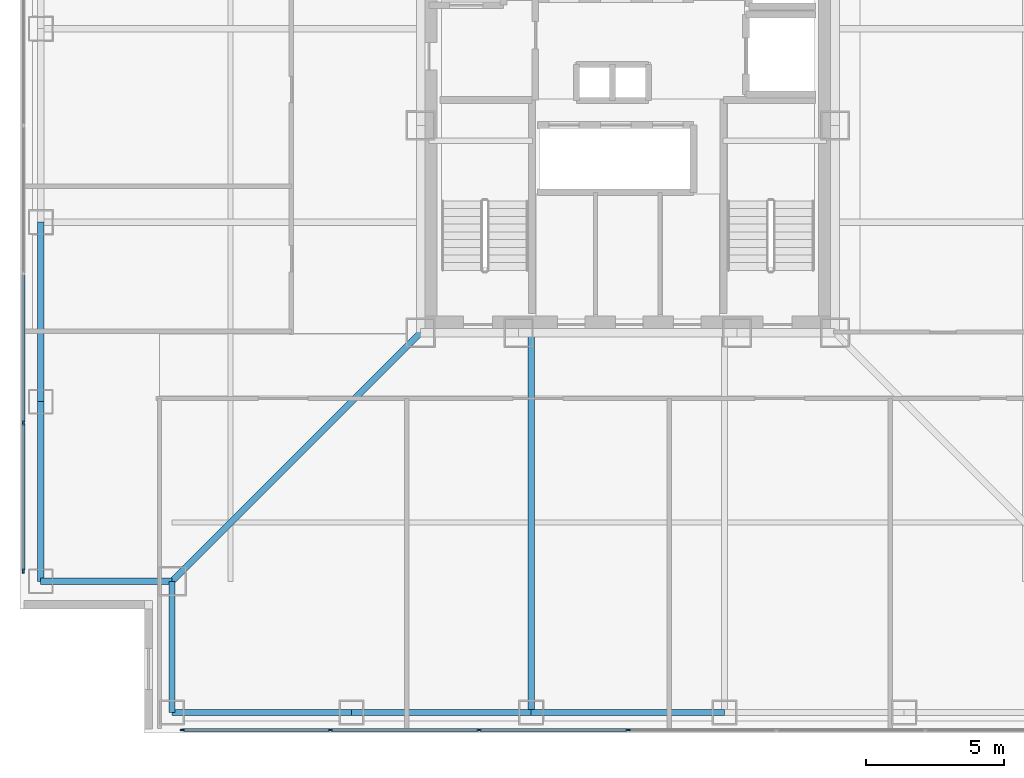
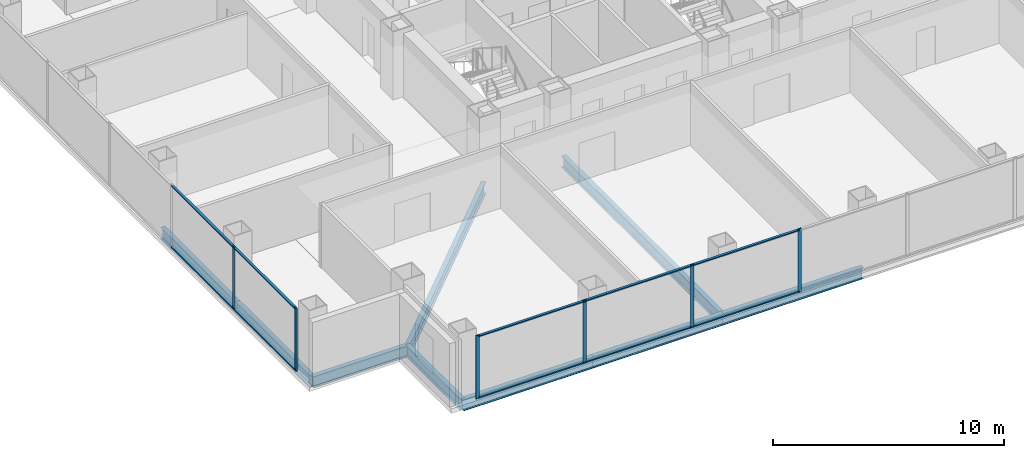
# One storey, part 2 of 17: 16 members, 9 beams, 2 elements without a shape of their own.
"""IFC4 building model written with IfcOpenShell, lengths in metres."""

import ifcopenshell
import ifcopenshell.guid

model = None  # the IFC model being written
_history = None  # IfcOwnerHistory: only IFC2X3 demands one
_inside = {}  # id of a spatial element -> (the spatial element, [elements in it])
_under = {}  # id of a project, library or spatial element -> (it, [spatial elements below it])
_declared = {}  # id of a project -> (the project, [libraries it declares])
_typed = {}  # id of a type object -> (the type object, [elements of that type])
_made_of = {}  # id of a material, layer set ... -> (it, [elements and type objects made of it])


def new_model(schema):
    """Start an empty IFC model of exactly this schema.

    Asked for "IFC4X3", IfcOpenShell would pick the latest addendum, in which some entities
    have other attributes; the version numbers below select the first issue.
    IFC2X3 requires an IfcOwnerHistory on every rooted entity: one is made here for all.
    """
    global model, _history
    if schema == "IFC4X3":
        model = ifcopenshell.file(schema_version=(4, 3, 0, 0))
    else:
        model = ifcopenshell.file(schema=schema)
    _inside.clear()
    _under.clear()
    _declared.clear()
    _typed.clear()
    _made_of.clear()
    _history = None
    if model.schema == "IFC2X3":
        org = make("IfcOrganization", Name="unknown")
        user = make(
            "IfcPersonAndOrganization",
            ThePerson=make("IfcPerson", FamilyName="unknown"),
            TheOrganization=org,
        )
        app = make(
            "IfcApplication",
            ApplicationDeveloper=org,
            Version="unknown",
            ApplicationFullName="unknown",
            ApplicationIdentifier="unknown",
        )
        _history = make(
            "IfcOwnerHistory",
            OwningUser=user,
            OwningApplication=app,
            ChangeAction="ADDED",
            CreationDate=0,
        )
    return model


def make(cls, **values):
    """One entity of the class cls with the attributes given. An attribute that is None is left unset."""
    return model.create_entity(
        cls, **{name: value for name, value in values.items() if value is not None}
    )


def rooted(cls, **values):
    """An entity with a GlobalId (a new one), such as an element, a storey or a relation."""
    return make(cls, GlobalId=ifcopenshell.guid.new(), OwnerHistory=_history, **values)


def si_unit(unit_type, name, prefix=None):
    """IfcSIUnit, for example si_unit("LENGTHUNIT", "METRE", prefix="MILLI")."""
    return make("IfcSIUnit", UnitType=unit_type, Prefix=prefix, Name=name)


def assignment(units):
    """IfcUnitAssignment: the units of a project."""
    return None if units is None else make("IfcUnitAssignment", Units=units)


def point(xyz):
    """IfcCartesianPoint."""
    return None if xyz is None else make("IfcCartesianPoint", Coordinates=xyz)


def direction(xyz):
    """IfcDirection."""
    return None if xyz is None else make("IfcDirection", DirectionRatios=xyz)


def frame(location, z_axis=None, x_axis=None):
    """IfcAxis2Placement3D, a coordinate frame: its origin and axes. An axis left out is left unset."""
    return make(
        "IfcAxis2Placement3D",
        Location=point(location),
        Axis=direction(z_axis),
        RefDirection=direction(x_axis),
    )


def frame_2d(location, x_axis=None):
    """IfcAxis2Placement2D, a coordinate frame in the plane: its origin and x axis."""
    return make(
        "IfcAxis2Placement2D", Location=point(location), RefDirection=direction(x_axis)
    )


def origin():
    """The frame at (0, 0, 0) with its axes left unset."""
    return frame((0.0, 0.0, 0.0))


def origin_2d():
    """The frame at (0, 0) in the plane with its x axis left unset."""
    return frame_2d((0.0, 0.0))


def place(relative_to, where):
    """IfcLocalPlacement: puts the frame where relative to a parent placement (None: the world)."""
    return make(
        "IfcLocalPlacement", PlacementRelTo=relative_to, RelativePlacement=where
    )


def context(
    kind, dimensions, precision=None, world=None, true_north=None, identifier=None
):
    """IfcGeometricRepresentationContext, for example the 3D "Model" context."""
    return make(
        "IfcGeometricRepresentationContext",
        ContextIdentifier=identifier,
        ContextType=kind,
        CoordinateSpaceDimension=dimensions,
        Precision=precision,
        WorldCoordinateSystem=world,
        TrueNorth=true_north,
    )


def subcontext(parent, identifier, kind, view, scale=None):
    """IfcGeometricRepresentationSubContext, for example "Body" below "Model"."""
    return make(
        "IfcGeometricRepresentationSubContext",
        ContextIdentifier=identifier,
        ContextType=kind,
        ParentContext=parent,
        TargetScale=scale,
        TargetView=view,
    )


def project(units=None, contexts=None):
    """IfcProject with its units and contexts."""
    return rooted(
        "IfcProject",
        Name="project",
        RepresentationContexts=contexts,
        UnitsInContext=assignment(units),
    )


def spatial(cls, under=None, at=None, **own):
    """A site, building, storey or space (cls), placed at a placement, below another one or the project."""
    s = rooted(cls, ObjectPlacement=at, **own)
    if under is not None:
        _under.setdefault(under.id(), (under, []))[1].append(s)
    return s


def profile(cls, at=None, kind="AREA", **sizes):
    """A parametric profile (cls). Its sizes go by their IFC names, for example OverallWidth=200.0."""
    return make(cls, ProfileType=kind, Position=at, **sizes)


def rectangle(**sizes):
    """IfcRectangleProfileDef."""
    return profile("IfcRectangleProfileDef", **sizes)


def i_section(**sizes):
    """IfcIShapeProfileDef."""
    return profile("IfcIShapeProfileDef", **sizes)


def extrude(swept, where, along, depth):
    """IfcExtrudedAreaSolid: the profile swept, set in the frame where, extruded along a direction by depth."""
    return make(
        "IfcExtrudedAreaSolid",
        SweptArea=swept,
        Position=where,
        ExtrudedDirection=direction(along),
        Depth=depth,
    )


def shape(context_of_items, identifier, shape_type, items):
    """IfcShapeRepresentation: the items that make up one representation, for example the "Body"."""
    return make(
        "IfcShapeRepresentation",
        ContextOfItems=context_of_items,
        RepresentationIdentifier=identifier,
        RepresentationType=shape_type,
        Items=items,
    )


def material(Name=None, Category=None):
    """IfcMaterial."""
    return make("IfcMaterial", Name=Name, Category=Category)


def layer(
    of_material, thickness, ventilated=None, Name=None, Category=None, Priority=None
):
    """IfcMaterialLayer: one layer of a wall or slab, of a material (None: an air gap)."""
    return make(
        "IfcMaterialLayer",
        Material=of_material,
        LayerThickness=thickness,
        IsVentilated=ventilated,
        Name=Name,
        Category=Category,
        Priority=Priority,
    )


def layer_set(layers, Name=None):
    """IfcMaterialLayerSet."""
    return make("IfcMaterialLayerSet", MaterialLayers=layers, LayerSetName=Name)


def material_profile(
    of_material, cross_section, Name=None, Category=None, Priority=None
):
    """IfcMaterialProfile: a cross section and its material."""
    return make(
        "IfcMaterialProfile",
        Name=Name,
        Material=of_material,
        Profile=cross_section,
        Priority=Priority,
        Category=Category,
    )


def profile_set(profiles, Name=None, composite=None):
    """IfcMaterialProfileSet."""
    return make(
        "IfcMaterialProfileSet",
        Name=Name,
        MaterialProfiles=profiles,
        CompositeProfile=composite,
    )


def made_of(thing, what):
    """Note that an element or type object is made of a material, layer set ...; save() writes the relation."""
    if what is not None:
        _made_of.setdefault(what.id(), (what, []))[1].append(thing)
    return thing


def type_object(cls, material=None, **own):
    """A type object (cls), such as IfcWallType, which elements share."""
    return made_of(rooted(cls, **own), material)


def element(
    cls,
    number,
    at=None,
    inside=None,
    cuts=None,
    type_object=None,
    material=None,
    context=None,
    identifier="Body",
    shape_type=None,
    held_by="IfcProductDefinitionShape",
    body=None,
    shapes=None,
    **own,
):
    """One element of the class cls, such as IfcWall. Its Tag is "e" and its number.

    at: its placement. inside: the storey or other place that contains it. cuts: it is an
    opening in that element (IfcRelVoidsElement). A single representation is given by context,
    identifier, shape_type and body (its items); several are given by shapes. held_by: the class
    of the entity that holds the representations. save() writes the other relations.
    """
    e = rooted(cls, Tag="e%d" % number, ObjectPlacement=at, **own)
    if body is not None:
        shapes = [shape(context, identifier, shape_type, body)]
    if shapes is not None:
        e.Representation = make(held_by, Representations=shapes)
    if inside is not None:
        _inside.setdefault(inside.id(), (inside, []))[1].append(e)
    if cuts is not None:
        rooted(
            "IfcRelVoidsElement", RelatingBuildingElement=cuts, RelatedOpeningElement=e
        )
    if type_object is not None:
        _typed.setdefault(type_object.id(), (type_object, []))[1].append(e)
    return made_of(e, material)


def aggregate(whole, parts):
    """IfcRelAggregates: a whole, such as a stair, and the parts it consists of."""
    return rooted("IfcRelAggregates", RelatingObject=whole, RelatedObjects=parts)


def save(model, path):
    """Write the relations noted so far, then the file.

    IfcRelAggregates (storeys below a building ...), IfcRelContainedInSpatialStructure (elements
    in a storey), IfcRelDefinesByType, IfcRelAssociatesMaterial and IfcRelDeclares: one each for
    every whole, place, type object, material and project.
    """
    for whole, parts in _under.values():
        aggregate(whole, parts)
    for where, things in _inside.values():
        rooted(
            "IfcRelContainedInSpatialStructure",
            RelatedElements=things,
            RelatingStructure=where,
        )
    for kind, things in _typed.values():
        rooted("IfcRelDefinesByType", RelatedObjects=things, RelatingType=kind)
    for what, things in _made_of.values():
        rooted("IfcRelAssociatesMaterial", RelatedObjects=things, RelatingMaterial=what)
    for by, libraries in _declared.values():
        rooted("IfcRelDeclares", RelatingContext=by, RelatedDefinitions=libraries)
    model.write(path)


model = new_model("IFC4")

# Units and contexts
model_context = context("Model", 3, precision=1e-05, world=origin(), true_north=direction((0.0, 1.0)))
body_context = subcontext(model_context, "Body", "Model", "MODEL_VIEW")
ifc_project = project(units=[si_unit("LENGTHUNIT", "METRE"), si_unit("AREAUNIT", "SQUARE_METRE"), si_unit("VOLUMEUNIT", "CUBIC_METRE"), si_unit("PLANEANGLEUNIT", "RADIAN"), si_unit("MASSUNIT", "GRAM", prefix="KILO")], contexts=[model_context])

# Site, building, storey
site_placement = place(None, origin())
site = spatial("IfcSite", under=ifc_project, at=site_placement, CompositionType="ELEMENT")
building_placement = place(site_placement, origin())
building = spatial("IfcBuilding", under=site, at=building_placement, Name="Trevonay Congress Spire", CompositionType="ELEMENT")
storey_placement = place(building_placement, frame((0.0, 0.0, 130.0)))
storey = spatial("IfcBuildingStorey", under=building, at=storey_placement, Name="L33", CompositionType="ELEMENT", Elevation=130.0)

# Beams
ifc_material_1 = material(Name="Steel ASTM A572 Grade 50", Category="steel")
ifc_material_profile_1 = material_profile(ifc_material_1, i_section(OverallWidth=0.22998046875, OverallDepth=0.616943359375, WebThickness=0.01318359375, FlangeThickness=0.022216796875, FilletRadius=0.01611328125, at=origin_2d()), Name="W610x140")
ifc_profile_set_1 = profile_set([ifc_material_profile_1], Name="Steel ASTM A572 Grade 50")
beam_type_1 = type_object("IfcBeamType", Name="BM-GIRD-W610X140", PredefinedType="BEAM", material=ifc_profile_set_1)
beam_1_placement = place(storey_placement, frame((-7.5, -7.5, -0.548583984375), z_axis=(-0.707106781187, -0.707106781187, 0.0), x_axis=(0.707106781187, -0.707106781187, 0.0)))
element("IfcBeam", 1, at=beam_1_placement, inside=storey, type_object=beam_type_1, Name="L33 structural beam BM-L33-CDSW", PredefinedType="BEAM", context=body_context, shape_type="SweptSolid", body=[
    extrude(i_section(OverallWidth=0.22998046875, OverallDepth=0.616943359375, WebThickness=0.01318359375, FlangeThickness=0.022216796875, FilletRadius=0.01611328125, at=origin_2d()), origin(), (0.0, 0.0, 1.0), 12.72802734375),
])
beam_2_placement = place(storey_placement, frame((-3.5, -7.5, -0.548583984375), z_axis=(0.0, -1.0, 0.0), x_axis=(1.0, 0.0, 0.0)))
element("IfcBeam", 2, at=beam_2_placement, inside=storey, type_object=beam_type_1, Name="L33 structural beam BM-L33-GS-M", PredefinedType="BEAM", context=body_context, shape_type="SweptSolid", body=[
    extrude(i_section(OverallWidth=0.22998046875, OverallDepth=0.616943359375, WebThickness=0.01318359375, FlangeThickness=0.022216796875, FilletRadius=0.01611328125, at=origin_2d()), origin(), (0.0, 0.0, 1.0), 13.75),
])
ifc_material_profile_2 = material_profile(ifc_material_1, i_section(OverallWidth=0.22802734375, OverallDepth=0.60791015625, WebThickness=0.01123046875, FlangeThickness=0.017333984375, FilletRadius=0.01611328125, at=origin_2d()), Name="W610x113")
ifc_profile_set_2 = profile_set([ifc_material_profile_2], Name="Steel ASTM A572 Grade 50")
beam_type_2 = type_object("IfcBeamType", Name="BM-RING-W610X113", PredefinedType="BEAM", material=ifc_profile_set_2)
for number, where, z_axis, x_axis, name in (
    (3, (-16.5, -21.25, -0.5439453125), (1.0, 0.0, 0.0), (0.0, 1.0, 0.0), "L33 structural beam BM-L33-PS1"),
    (4, (-21.25, -16.5, -0.5439453125), (0.0, 1.0, 0.0), (-1.0, 0.0, 0.0), "L33 structural beam BM-L33-PW1"),
    (5, (-10.0, -21.25, -0.5439453125), (1.0, 0.0, 0.0), (0.0, 1.0, 0.0), "L33 structural beam BM-L33-PS2"),
    (6, (-21.25, -10.0, -0.5439453125), (0.0, 1.0, 0.0), (-1.0, 0.0, 0.0), "L33 structural beam BM-L33-PW2"),
):
    element("IfcBeam", number, at=place(storey_placement, frame(where, z_axis=z_axis, x_axis=x_axis)), inside=storey, type_object=beam_type_2, Name=name, PredefinedType="BEAM", context=body_context, shape_type="SweptSolid", body=[
        extrude(i_section(OverallWidth=0.22802734375, OverallDepth=0.60791015625, WebThickness=0.01123046875, FlangeThickness=0.017333984375, FilletRadius=0.01611328125, at=origin_2d()), origin(), (0.0, 0.0, 1.0), 6.5),
    ])
beam_3_placement = place(storey_placement, frame((-3.5, -21.25, -0.5439453125), z_axis=(1.0, 0.0, 0.0), x_axis=(0.0, 1.0, 0.0)))
element("IfcBeam", 7, at=beam_3_placement, inside=storey, type_object=beam_type_2, Name="L33 structural beam BM-L33-PS3", PredefinedType="BEAM", context=body_context, shape_type="SweptSolid", body=[
    extrude(i_section(OverallWidth=0.22802734375, OverallDepth=0.60791015625, WebThickness=0.01123046875, FlangeThickness=0.017333984375, FilletRadius=0.01611328125, at=origin_2d()), origin(), (0.0, 0.0, 1.0), 7.0),
])
for number, where, z_axis, x_axis, name in (
    (8, (-16.5, -21.25, -0.5439453125), (0.0, 1.0, 0.0), (-1.0, 0.0, 0.0), "L33 structural beam BM-L33-N1SW"),
    (9, (-21.25, -16.5, -0.5439453125), (1.0, 0.0, 0.0), (0.0, 1.0, 0.0), "L33 structural beam BM-L33-N2SW"),
):
    element("IfcBeam", number, at=place(storey_placement, frame(where, z_axis=z_axis, x_axis=x_axis)), inside=storey, type_object=beam_type_2, Name=name, PredefinedType="BEAM", context=body_context, shape_type="SweptSolid", body=[
        extrude(i_section(OverallWidth=0.22802734375, OverallDepth=0.60791015625, WebThickness=0.01123046875, FlangeThickness=0.017333984375, FilletRadius=0.01611328125, at=origin_2d()), origin(), (0.0, 0.0, 1.0), 4.75),
    ])

# Curtain wall, members
ifc_material_2 = material(Name="Pale Anodised Aluminium EN AW-6063-T6", Category="aluminium")
ifc_layer = layer(ifc_material_2, 0.175048828125, Name="Pale Anodised Aluminium EN AW-6063-T6")
ifc_layer_set = layer_set([ifc_layer], Name="Pale Anodised Aluminium EN AW-6063-T6")
curtain_wall_type = type_object("IfcCurtainWallType", Name="CW-SYS03-CONGRESS-PALE-METAL", PredefinedType="NOTDEFINED", material=ifc_layer_set)
curtain_wall_1_placement = place(storey_placement, origin())
curtain_wall_1 = element("IfcCurtainWall", 10, at=curtain_wall_1_placement, inside=storey, type_object=curtain_wall_type, Name="L33 S unitised curtain wall", PredefinedType="NOTDEFINED")
ifc_material_profile_3 = material_profile(ifc_material_2, rectangle(XDim=0.06005859375, YDim=0.159912109375, at=origin_2d()), Name="CW-MULLION-160-ALUMINIUM")
ifc_profile_set_3 = profile_set([ifc_material_profile_3], Name="Pale Anodised Aluminium EN AW-6063-T6")
member_type_1 = type_object("IfcMemberType", Name="CW-MULLION-160-ALUMINIUM", PredefinedType="MULLION", material=ifc_profile_set_3)
member_1_placement = place(storey_placement, frame((-16.1201171875, -21.8798828125, 0.0), z_axis=(0.0, 0.0, 1.0), x_axis=(0.0, 1.0, 0.0)))
member_1 = element("IfcMember", 11, at=member_1_placement, type_object=member_type_1, Name="CW03 mullion 1", PredefinedType="MULLION", context=body_context, shape_type="SweptSolid", body=[
    extrude(rectangle(XDim=0.06005859375, YDim=0.159912109375, at=origin_2d()), origin(), (0.0, 0.0, 1.0), 3.360107421875),
])
member_2_placement = place(storey_placement, frame((-10.7666015625, -21.8798828125, 0.0), z_axis=(0.0, 0.0, 1.0), x_axis=(0.0, 1.0, 0.0)))
member_2 = element("IfcMember", 12, at=member_2_placement, type_object=member_type_1, Name="CW03 mullion 2", PredefinedType="MULLION", context=body_context, shape_type="SweptSolid", body=[
    extrude(rectangle(XDim=0.06005859375, YDim=0.159912109375, at=origin_2d()), origin(), (0.0, 0.0, 1.0), 3.360107421875),
])
member_3_placement = place(storey_placement, frame((-5.38330078125, -21.8798828125, 0.0), z_axis=(0.0, 0.0, 1.0), x_axis=(0.0, 1.0, 0.0)))
member_3 = element("IfcMember", 13, at=member_3_placement, type_object=member_type_1, Name="CW03 mullion 3", PredefinedType="MULLION", context=body_context, shape_type="SweptSolid", body=[
    extrude(rectangle(XDim=0.06005859375, YDim=0.159912109375, at=origin_2d()), origin(), (0.0, 0.0, 1.0), 3.360107421875),
])
member_4_placement = place(storey_placement, frame((0.0, -21.8798828125, 0.0), z_axis=(0.0, 0.0, 1.0), x_axis=(0.0, 1.0, 0.0)))
member_4 = element("IfcMember", 14, at=member_4_placement, type_object=member_type_1, Name="CW03 mullion 4", PredefinedType="MULLION", context=body_context, shape_type="SweptSolid", body=[
    extrude(rectangle(XDim=0.06005859375, YDim=0.159912109375, at=origin_2d()), origin(), (0.0, 0.0, 1.0), 3.360107421875),
])

curtain_wall_2_placement = place(storey_placement, origin())
curtain_wall_2 = element("IfcCurtainWall", 15, at=curtain_wall_2_placement, inside=storey, type_object=curtain_wall_type, Name="L33 W unitised curtain wall", PredefinedType="NOTDEFINED")
member_5_placement = place(storey_placement, frame((-21.8798828125, -16.1201171875, 0.0), z_axis=(0.0, 0.0, 1.0), x_axis=(-1.0, 0.0, 0.0)))
member_5 = element("IfcMember", 16, at=member_5_placement, type_object=member_type_1, Name="CW03 mullion 1", PredefinedType="MULLION", context=body_context, shape_type="SweptSolid", body=[
    extrude(rectangle(XDim=0.06005859375, YDim=0.159912109375, at=origin_2d()), origin(), (0.0, 0.0, 1.0), 3.360107421875),
])
member_6_placement = place(storey_placement, frame((-21.8798828125, -10.7666015625, 0.0), z_axis=(0.0, 0.0, 1.0), x_axis=(-1.0, 0.0, 0.0)))
member_6 = element("IfcMember", 17, at=member_6_placement, type_object=member_type_1, Name="CW03 mullion 2", PredefinedType="MULLION", context=body_context, shape_type="SweptSolid", body=[
    extrude(rectangle(XDim=0.06005859375, YDim=0.159912109375, at=origin_2d()), origin(), (0.0, 0.0, 1.0), 3.360107421875),
])

# Member
ifc_material_profile_4 = material_profile(ifc_material_2, rectangle(XDim=0.1201171875, YDim=0.06005859375, at=origin_2d()), Name="CW-TRANSOM-120-ALUMINIUM")
ifc_profile_set_4 = profile_set([ifc_material_profile_4], Name="Pale Anodised Aluminium EN AW-6063-T6")
member_type_2 = type_object("IfcMemberType", Name="CW-TRANSOM-120-ALUMINIUM", PredefinedType="USERDEFINED", material=ifc_profile_set_4)
member_7_placement = place(storey_placement, frame((-16.090087890625, -21.8798828125, 0.06005859375), z_axis=(1.0, 0.0, 0.0), x_axis=(0.0, 1.0, 0.0)))
member_7 = element("IfcMember", 18, at=member_7_placement, type_object=member_type_2, Name="CW03 transom 1.1", ObjectType="TRANSOM", PredefinedType="USERDEFINED", context=body_context, shape_type="SweptSolid", body=[
    extrude(rectangle(XDim=0.1201171875, YDim=0.06005859375, at=origin_2d()), origin(), (0.0, 0.0, 1.0), 5.29345703125),
])

member_8_placement = place(storey_placement, frame((-16.090087890625, -21.8798828125, 3.300048828125), z_axis=(1.0, 0.0, 0.0), x_axis=(0.0, 1.0, 0.0)))
member_8 = element("IfcMember", 19, at=member_8_placement, type_object=member_type_2, Name="CW03 transom 1.2", ObjectType="TRANSOM", PredefinedType="USERDEFINED", context=body_context, shape_type="SweptSolid", body=[
    extrude(rectangle(XDim=0.1201171875, YDim=0.06005859375, at=origin_2d()), origin(), (0.0, 0.0, 1.0), 5.29345703125),
])

member_9_placement = place(storey_placement, frame((-10.736572265625, -21.8798828125, 0.06005859375), z_axis=(1.0, 0.0, 0.0), x_axis=(0.0, 1.0, 0.0)))
member_9 = element("IfcMember", 20, at=member_9_placement, type_object=member_type_2, Name="CW03 transom 2.1", ObjectType="TRANSOM", PredefinedType="USERDEFINED", context=body_context, shape_type="SweptSolid", body=[
    extrude(rectangle(XDim=0.1201171875, YDim=0.06005859375, at=origin_2d()), origin(), (0.0, 0.0, 1.0), 5.3232421875),
])

member_10_placement = place(storey_placement, frame((-10.736572265625, -21.8798828125, 3.300048828125), z_axis=(1.0, 0.0, 0.0), x_axis=(0.0, 1.0, 0.0)))
member_10 = element("IfcMember", 21, at=member_10_placement, type_object=member_type_2, Name="CW03 transom 2.2", ObjectType="TRANSOM", PredefinedType="USERDEFINED", context=body_context, shape_type="SweptSolid", body=[
    extrude(rectangle(XDim=0.1201171875, YDim=0.06005859375, at=origin_2d()), origin(), (0.0, 0.0, 1.0), 5.3232421875),
])

member_11_placement = place(storey_placement, frame((-5.353271484375, -21.8798828125, 0.06005859375), z_axis=(1.0, 0.0, 0.0), x_axis=(0.0, 1.0, 0.0)))
member_11 = element("IfcMember", 22, at=member_11_placement, type_object=member_type_2, Name="CW03 transom 3.1", ObjectType="TRANSOM", PredefinedType="USERDEFINED", context=body_context, shape_type="SweptSolid", body=[
    extrude(rectangle(XDim=0.1201171875, YDim=0.06005859375, at=origin_2d()), origin(), (0.0, 0.0, 1.0), 5.3232421875),
])

member_12_placement = place(storey_placement, frame((-5.353271484375, -21.8798828125, 3.300048828125), z_axis=(1.0, 0.0, 0.0), x_axis=(0.0, 1.0, 0.0)))
member_12 = element("IfcMember", 23, at=member_12_placement, type_object=member_type_2, Name="CW03 transom 3.2", ObjectType="TRANSOM", PredefinedType="USERDEFINED", context=body_context, shape_type="SweptSolid", body=[
    extrude(rectangle(XDim=0.1201171875, YDim=0.06005859375, at=origin_2d()), origin(), (0.0, 0.0, 1.0), 5.3232421875),
])

aggregate(curtain_wall_1, [member_1, member_2, member_3, member_4, member_7, member_8, member_9, member_10, member_11, member_12])

member_13_placement = place(storey_placement, frame((-21.8798828125, -16.090087890625, 0.06005859375), z_axis=(0.0, 1.0, 0.0), x_axis=(-1.0, 0.0, 0.0)))
member_13 = element("IfcMember", 24, at=member_13_placement, type_object=member_type_2, Name="CW03 transom 1.1", ObjectType="TRANSOM", PredefinedType="USERDEFINED", context=body_context, shape_type="SweptSolid", body=[
    extrude(rectangle(XDim=0.1201171875, YDim=0.06005859375, at=origin_2d()), origin(), (0.0, 0.0, 1.0), 5.29345703125),
])

member_14_placement = place(storey_placement, frame((-21.8798828125, -16.090087890625, 3.300048828125), z_axis=(0.0, 1.0, 0.0), x_axis=(-1.0, 0.0, 0.0)))
member_14 = element("IfcMember", 25, at=member_14_placement, type_object=member_type_2, Name="CW03 transom 1.2", ObjectType="TRANSOM", PredefinedType="USERDEFINED", context=body_context, shape_type="SweptSolid", body=[
    extrude(rectangle(XDim=0.1201171875, YDim=0.06005859375, at=origin_2d()), origin(), (0.0, 0.0, 1.0), 5.29345703125),
])

member_15_placement = place(storey_placement, frame((-21.8798828125, -10.736572265625, 0.06005859375), z_axis=(0.0, 1.0, 0.0), x_axis=(-1.0, 0.0, 0.0)))
member_15 = element("IfcMember", 26, at=member_15_placement, type_object=member_type_2, Name="CW03 transom 2.1", ObjectType="TRANSOM", PredefinedType="USERDEFINED", context=body_context, shape_type="SweptSolid", body=[
    extrude(rectangle(XDim=0.1201171875, YDim=0.06005859375, at=origin_2d()), origin(), (0.0, 0.0, 1.0), 5.3232421875),
])

member_16_placement = place(storey_placement, frame((-21.8798828125, -10.736572265625, 3.300048828125), z_axis=(0.0, 1.0, 0.0), x_axis=(-1.0, 0.0, 0.0)))
member_16 = element("IfcMember", 27, at=member_16_placement, type_object=member_type_2, Name="CW03 transom 2.2", ObjectType="TRANSOM", PredefinedType="USERDEFINED", context=body_context, shape_type="SweptSolid", body=[
    extrude(rectangle(XDim=0.1201171875, YDim=0.06005859375, at=origin_2d()), origin(), (0.0, 0.0, 1.0), 5.3232421875),
])

aggregate(curtain_wall_2, [member_5, member_6, member_13, member_14, member_15, member_16])

save(model, "model.ifc")
